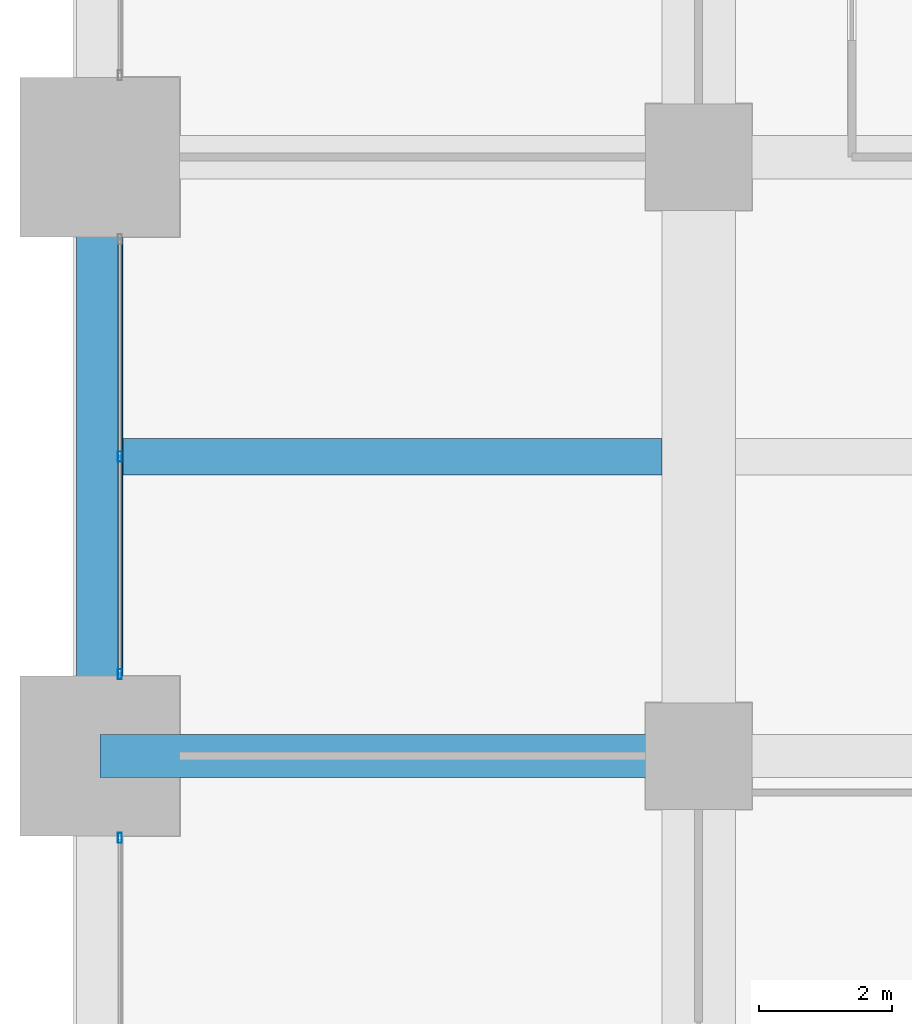
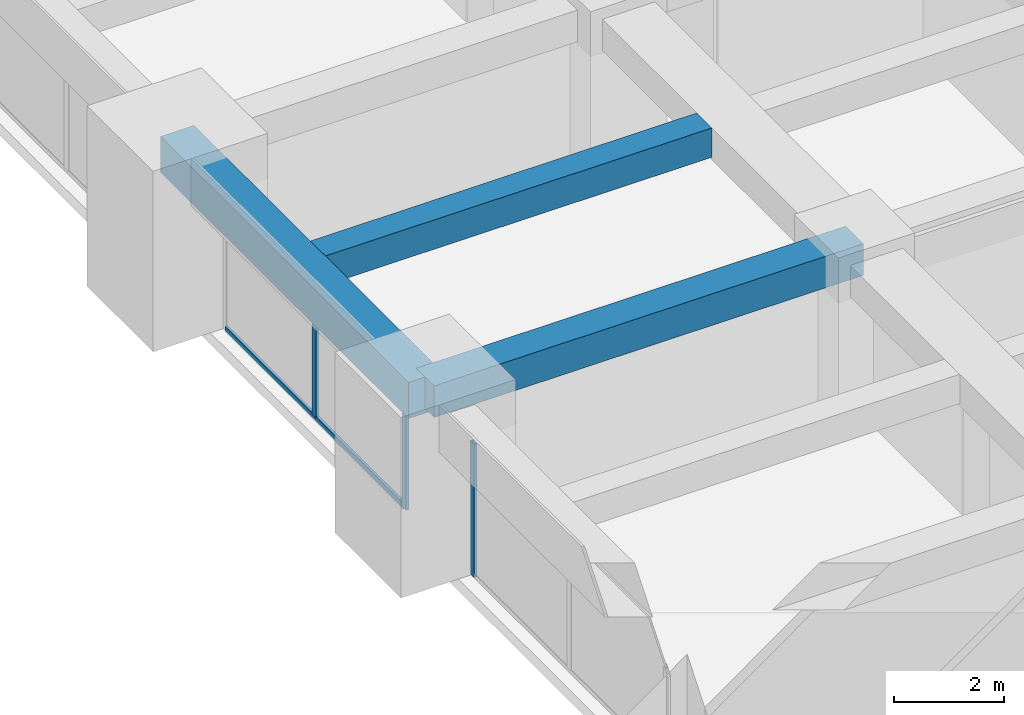
# One storey, part 9 of 32: 4 members, 3 beams, 2 elements without a shape of their own.
"""IFC4 building model written with IfcOpenShell, lengths in metres."""

from ifc_helpers import new_model, si_unit, direction, frame, origin, origin_2d, place, context, subcontext, project, spatial, rectangle, hollow_rectangle, extrude, material, material_profile, profile_set, type_object, element, aggregate, save


model = new_model("IFC4")

# Units and contexts
model_context = context("Model", 3, precision=1e-05, world=origin(), true_north=direction((0.0, 1.0)))
body_context = subcontext(model_context, "Body", "Model", "MODEL_VIEW")
ifc_project = project(units=[si_unit("LENGTHUNIT", "METRE"), si_unit("AREAUNIT", "SQUARE_METRE"), si_unit("VOLUMEUNIT", "CUBIC_METRE"), si_unit("PLANEANGLEUNIT", "RADIAN"), si_unit("MASSUNIT", "GRAM", prefix="KILO")], contexts=[model_context])

# Site, building, storey
site_placement = place(None, origin())
site = spatial("IfcSite", under=ifc_project, at=site_placement, CompositionType="ELEMENT")
building_placement = place(site_placement, origin())
building = spatial("IfcBuilding", under=site, at=building_placement, Name="Zorevar Civic Tower", CompositionType="ELEMENT")
storey_placement = place(building_placement, frame((0.0, 0.0, 186.199951171875)))
storey = spatial("IfcBuildingStorey", under=building, at=storey_placement, Name="L45", CompositionType="ELEMENT", Elevation=186.199951171875)

# Beams
ifc_material_1 = material(Name="Concrete C50/60", Category="concrete")
ifc_material_profile_1 = material_profile(ifc_material_1, rectangle(XDim=0.550048828125, YDim=0.64990234375, at=origin_2d()), Name="RC 550x650")
ifc_profile_set_1 = profile_set([ifc_material_profile_1], Name="Concrete C50/60")
beam_type_1 = type_object("IfcBeamType", Name="Beam RC 550x650", PredefinedType="BEAM", material=ifc_profile_set_1)
beam_1_placement = place(storey_placement, frame((0.35009765625, 22.5, 3.425048828125), z_axis=(1.0, 0.0, 0.0), x_axis=(0.0, 1.0, 0.0)))
element("IfcBeam", 1, at=beam_1_placement, inside=storey, type_object=beam_type_1, Name="Secondary beam L46", PredefinedType="BEAM", context=body_context, shape_type="SweptSolid", body=[
    extrude(rectangle(XDim=0.550048828125, YDim=0.64990234375, at=origin_2d()), origin(), (0.0, 0.0, 1.0), 8.099853515625),
])
ifc_material_2 = material(Name="Concrete C50/60", Category="concrete")
ifc_material_profile_2 = material_profile(ifc_material_2, rectangle(XDim=0.64990234375, YDim=0.699951171875, at=origin_2d()), Name="RC 650x700")
ifc_profile_set_2 = profile_set([ifc_material_profile_2], Name="Concrete C50/60")
beam_type_2 = type_object("IfcBeamType", Name="Beam RC 650x700", PredefinedType="BEAM", material=ifc_profile_set_2)
beam_2_placement = place(storey_placement, frame((0.0, 18.0, 3.400146484375), z_axis=(1.0, 0.0, 0.0), x_axis=(0.0, 1.0, 0.0)))
element("IfcBeam", 2, at=beam_2_placement, inside=storey, type_object=beam_type_2, Name="Girder L46", PredefinedType="BEAM", context=body_context, shape_type="SweptSolid", body=[
    extrude(rectangle(XDim=0.64990234375, YDim=0.699951171875, at=origin_2d()), origin(), (0.0, 0.0, 1.0), 9.0),
])

# Curtain wall, member
ifc_material_3 = material(Name="Dark grey solar-control glass in black aluminium frame", Category="aluminium")
curtain_wall_type = type_object("IfcCurtainWallType", Name="Curtain wall CW4 high zone", PredefinedType="NOTDEFINED", material=ifc_material_3)
curtain_wall_1_placement = place(storey_placement, origin())
curtain_wall_1 = element("IfcCurtainWall", 3, at=curtain_wall_1_placement, inside=storey, type_object=curtain_wall_type, Name="CW4 L45", PredefinedType="NOTDEFINED")
ifc_material_4 = material(Name="Aluminium, black anodised", Category="aluminium")
ifc_material_profile_3 = material_profile(ifc_material_4, hollow_rectangle(XDim=0.06005859375, YDim=0.14990234375, WallThickness=0.00390625, at=origin_2d()), Name="AL 150x60x4")
ifc_profile_set_3 = profile_set([ifc_material_profile_3], Name="Aluminium, black anodised")
member_type_1 = type_object("IfcMemberType", Name="CW4 mullion AL 150x60x4", PredefinedType="MULLION", material=ifc_profile_set_3)
member_1_placement = place(storey_placement, frame((0.300048828125, 16.77001953125, 0.0), z_axis=(0.0, 0.0, 1.0), x_axis=(-1.0, 0.0, 0.0)))
member_1 = element("IfcMember", 4, at=member_1_placement, type_object=member_type_1, Name="CW4 mullion 3", PredefinedType="MULLION", context=body_context, shape_type="SweptSolid", body=[
    extrude(hollow_rectangle(XDim=0.06005859375, YDim=0.14990234375, WallThickness=0.00390625, at=origin_2d()), origin(), (0.0, 0.0, 1.0), 2.949951171875),
])
aggregate(curtain_wall_1, [member_1])

# Curtain wall, members
curtain_wall_2_placement = place(storey_placement, origin())
curtain_wall_2 = element("IfcCurtainWall", 5, at=curtain_wall_2_placement, inside=storey, type_object=curtain_wall_type, Name="CW4 L45", PredefinedType="NOTDEFINED")
member_2_placement = place(storey_placement, frame((0.300048828125, 19.22998046875, 0.0), z_axis=(0.0, 0.0, 1.0), x_axis=(-1.0, 0.0, 0.0)))
member_2 = element("IfcMember", 6, at=member_2_placement, type_object=member_type_1, Name="CW4 mullion 1", PredefinedType="MULLION", context=body_context, shape_type="SweptSolid", body=[
    extrude(hollow_rectangle(XDim=0.06005859375, YDim=0.14990234375, WallThickness=0.00390625, at=origin_2d()), origin(), (0.0, 0.0, 1.0), 2.949951171875),
])
member_3_placement = place(storey_placement, frame((0.300048828125, 22.5, 0.06005859375), z_axis=(0.0, 0.0, 1.0), x_axis=(-1.0, 0.0, 0.0)))
member_3 = element("IfcMember", 7, at=member_3_placement, type_object=member_type_1, Name="CW4 mullion 2", PredefinedType="MULLION", context=body_context, shape_type="SweptSolid", body=[
    extrude(hollow_rectangle(XDim=0.06005859375, YDim=0.14990234375, WallThickness=0.00390625, at=origin_2d()), origin(), (0.0, 0.0, 1.0), 2.889892578125),
])
ifc_material_5 = material(Name="Aluminium, black anodised", Category="aluminium")
ifc_material_profile_4 = material_profile(ifc_material_5, hollow_rectangle(XDim=0.06005859375, YDim=0.1201171875, WallThickness=0.0029296875, at=origin_2d()), Name="AL 120x60x3")
ifc_profile_set_4 = profile_set([ifc_material_profile_4], Name="Aluminium, black anodised")
member_type_2 = type_object("IfcMemberType", Name="CW4 transom AL 120x60x3", PredefinedType="USERDEFINED", material=ifc_profile_set_4)
member_4_placement = place(storey_placement, frame((0.300048828125, 19.260009765625, 0.030029296875), z_axis=(0.0, 1.0, 0.0), x_axis=(-1.0, 0.0, 0.0)))
member_4 = element("IfcMember", 8, at=member_4_placement, type_object=member_type_2, Name="CW4 sill transom", ObjectType="TRANSOM", PredefinedType="USERDEFINED", context=body_context, shape_type="SweptSolid", body=[
    extrude(hollow_rectangle(XDim=0.06005859375, YDim=0.1201171875, WallThickness=0.0029296875, at=origin_2d()), origin(), (0.0, 0.0, 1.0), 6.47998046875),
])
aggregate(curtain_wall_2, [member_2, member_3, member_4])

# Beam
ifc_material_6 = material(Name="Concrete C50/60", Category="concrete")
ifc_material_profile_5 = material_profile(ifc_material_6, rectangle(XDim=0.699951171875, YDim=0.800048828125, at=origin_2d()), Name="RC 700x800")
ifc_profile_set_5 = profile_set([ifc_material_profile_5], Name="Concrete C50/60")
beam_type_3 = type_object("IfcBeamType", Name="Edge beam RC 700x800", PredefinedType="SPANDREL", material=ifc_profile_set_5)
beam_3_placement = place(storey_placement, frame((0.0, 18.0, 3.35009765625), z_axis=(0.0, 1.0, 0.0), x_axis=(-1.0, 0.0, 0.0)))
element("IfcBeam", 9, at=beam_3_placement, inside=storey, type_object=beam_type_3, Name="Edge beam L46", PredefinedType="SPANDREL", context=body_context, shape_type="SweptSolid", body=[
    extrude(rectangle(XDim=0.699951171875, YDim=0.800048828125, at=origin_2d()), origin(), (0.0, 0.0, 1.0), 9.0),
])

save(model, "model.ifc")
